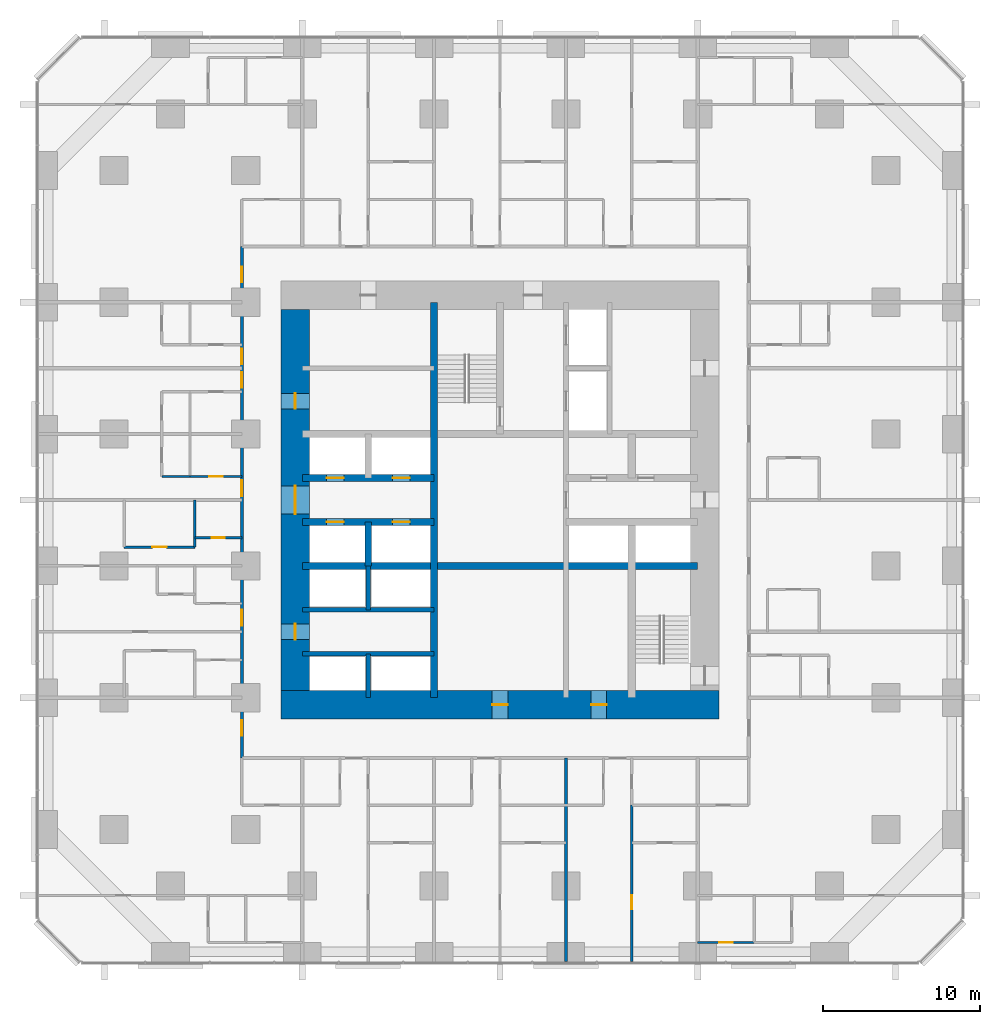
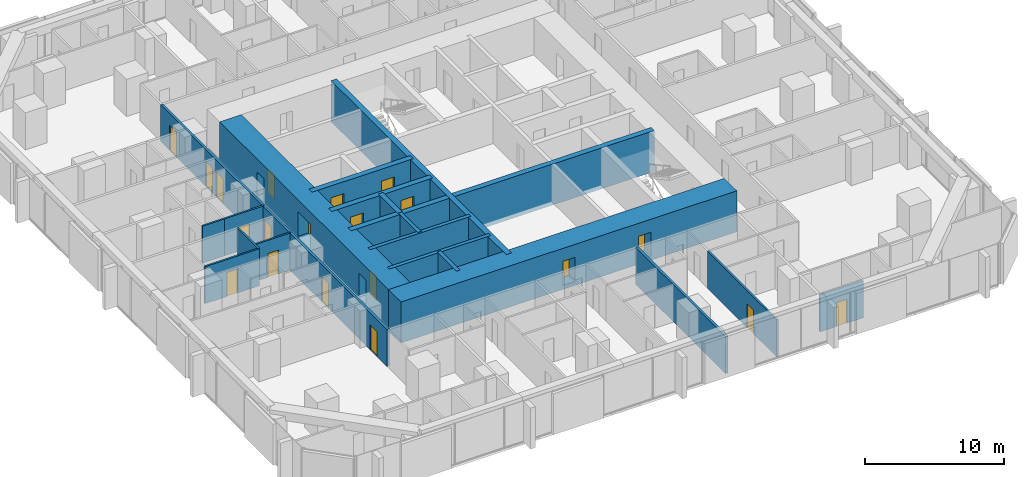
# One storey, part 12 of 17: 20 doors, 20 walls, 20 openings.
"""IFC4 building model written with IfcOpenShell, lengths in metres."""

from ifc_helpers import new_model, si_unit, direction, frame, frame_2d, origin, place, context, subcontext, project, spatial, rectangle, extrude, material, layer, layer_set, type_object, element, fill, save


model = new_model("IFC4")

# Units and contexts
model_context = context("Model", 3, precision=1e-05, world=origin(), true_north=direction((0.0, 1.0)))
body_context = subcontext(model_context, "Body", "Model", "MODEL_VIEW")
ifc_project = project(units=[si_unit("LENGTHUNIT", "METRE"), si_unit("AREAUNIT", "SQUARE_METRE"), si_unit("VOLUMEUNIT", "CUBIC_METRE"), si_unit("PLANEANGLEUNIT", "RADIAN"), si_unit("MASSUNIT", "GRAM", prefix="KILO")], contexts=[model_context])

# Site, building, storey
site_placement = place(None, origin())
site = spatial("IfcSite", under=ifc_project, at=site_placement, CompositionType="ELEMENT")
building_placement = place(site_placement, origin())
building = spatial("IfcBuilding", under=site, at=building_placement, Name="Dunama Terrace Hotel", CompositionType="ELEMENT")
storey_placement = place(building_placement, frame((0.0, 0.0, 48.60009765625)))
storey = spatial("IfcBuildingStorey", under=building, at=storey_placement, Name="L11", CompositionType="ELEMENT", Elevation=48.60009765625)

# Wall, opening, door
ifc_material_1 = material(Name="Gypsum board partition", Category="masonry")
ifc_layer_1 = layer(ifc_material_1, 0.14990234375)
ifc_layer_set_1 = layer_set([ifc_layer_1], Name="Bathroom partition 150")
wall_type_1 = type_object("IfcWallType", Name="Bathroom partition 150", PredefinedType="PARTITIONING", material=ifc_layer_set_1)
wall_1_placement = place(storey_placement, frame((42.0, 1.199951171875, 0.0), z_axis=(0.0, 0.0, 1.0), x_axis=(1.0, 0.0, 0.0)))
wall_1 = element("IfcWall", 1, at=wall_1_placement, inside=storey, type_object=wall_type_1, Name="Bathroom partition 150 L11", PredefinedType="PARTITIONING", context=body_context, shape_type="SweptSolid", body=[
    extrude(rectangle(XDim=3.60009765625, YDim=0.14990234375, at=frame_2d((1.800048828125, 0.0))), origin(), (0.0, 0.0, 1.0), 3.25),
])
opening_1_placement = place(wall_1_placement, frame((1.375, 0.0, 0.0)))
opening_1 = element("IfcOpeningElement", 2, at=opening_1_placement, cuts=wall_1, Name="Opening L10-11-075", PredefinedType="OPENING", context=body_context, shape_type="SweptSolid", body=[
    extrude(rectangle(XDim=0.85009765625, YDim=2.10009765625, at=frame_2d((0.425048828125, 1.050048828125))), frame((0.0, 0.0849609375, 0.0), z_axis=(0.0, -1.0, 0.0), x_axis=(1.0, 0.0, 0.0)), (0.0, 0.0, 1.0), 0.169921875),
])
ifc_material_2 = material(Name="Timber door with steel frame", Category="steel")
door_type_1 = type_object("IfcDoorType", Name="Bathroom door 850", OperationType="SINGLE_SWING_LEFT", PredefinedType="DOOR", material=ifc_material_2)
door_1_placement = place(opening_1_placement, origin())
door_1 = element("IfcDoor", 3, at=door_1_placement, inside=storey, type_object=door_type_1, Name="Door to en-suite bathroom L10-11-075, type D2", OperationType="SINGLE_SWING_LEFT", OverallHeight=2.10009765625, OverallWidth=0.85009765625, PredefinedType="DOOR", context=body_context, shape_type="SweptSolid", body=[
    extrude(rectangle(XDim=0.85009765625, YDim=2.10009765625, at=frame_2d((0.425048828125, 1.050048828125))), frame((0.0, 0.02490234375, 0.0), z_axis=(0.0, -1.0, 0.0), x_axis=(1.0, 0.0, 0.0)), (0.0, 0.0, 1.0), 0.050048828125),
])
fill(opening_1, door_1)

wall_2_placement = place(storey_placement, frame((9.949951171875, 27.0, 0.0), z_axis=(0.0, 0.0, 1.0), x_axis=(1.0, 0.0, 0.0)))
wall_2 = element("IfcWall", 4, at=wall_2_placement, inside=storey, type_object=wall_type_1, Name="Bathroom partition 150 L11", PredefinedType="PARTITIONING", context=body_context, shape_type="SweptSolid", body=[
    extrude(rectangle(XDim=3.0, YDim=0.14990234375, at=frame_2d((1.5, 0.0))), origin(), (0.0, 0.0, 1.0), 3.25),
])
opening_2_placement = place(wall_2_placement, frame((1.074951171875, 0.0, 0.0)))
opening_2 = element("IfcOpeningElement", 5, at=opening_2_placement, cuts=wall_2, Name="Opening L10-11-053", PredefinedType="OPENING", context=body_context, shape_type="SweptSolid", body=[
    extrude(rectangle(XDim=0.85009765625, YDim=2.10009765625, at=frame_2d((0.425048828125, 1.050048828125))), frame((0.0, 0.0849609375, 0.0), z_axis=(0.0, -1.0, 0.0), x_axis=(1.0, 0.0, 0.0)), (0.0, 0.0, 1.0), 0.169921875),
])
door_2_placement = place(opening_2_placement, origin())
door_2 = element("IfcDoor", 6, at=door_2_placement, inside=storey, type_object=door_type_1, Name="Door to en-suite bathroom L10-11-053, type D2", OperationType="SINGLE_SWING_RIGHT", OverallHeight=2.10009765625, OverallWidth=0.85009765625, PredefinedType="DOOR", context=body_context, shape_type="SweptSolid", body=[
    extrude(rectangle(XDim=0.85009765625, YDim=2.10009765625, at=frame_2d((0.425048828125, 1.050048828125))), frame((0.0, 0.02490234375, 0.0), z_axis=(0.0, -1.0, 0.0), x_axis=(1.0, 0.0, 0.0)), (0.0, 0.0, 1.0), 0.050048828125),
])
fill(opening_2, door_2)

wall_3_placement = place(storey_placement, frame((9.64990234375, 30.89990234375, 0.0), z_axis=(0.0, 0.0, 1.0), x_axis=(1.0, 0.0, 0.0)))
wall_3 = element("IfcWall", 7, at=wall_3_placement, inside=storey, type_object=wall_type_1, Name="Bathroom partition 150 L11", PredefinedType="PARTITIONING", context=body_context, shape_type="SweptSolid", body=[
    extrude(rectangle(XDim=3.300048828125, YDim=0.14990234375, at=frame_2d((1.64990234375, 0.0))), origin(), (0.0, 0.0, 1.0), 3.25),
])
opening_3_placement = place(wall_3_placement, frame((1.22509765625, 0.0, 0.0)))
opening_3 = element("IfcOpeningElement", 8, at=opening_3_placement, cuts=wall_3, Name="Opening L10-11-059", PredefinedType="OPENING", context=body_context, shape_type="SweptSolid", body=[
    extrude(rectangle(XDim=0.85009765625, YDim=2.10009765625, at=frame_2d((0.425048828125, 1.050048828125))), frame((0.0, 0.0849609375, 0.0), z_axis=(0.0, -1.0, 0.0), x_axis=(1.0, 0.0, 0.0)), (0.0, 0.0, 1.0), 0.169921875),
])
door_3_placement = place(opening_3_placement, origin())
door_3 = element("IfcDoor", 9, at=door_3_placement, inside=storey, type_object=door_type_1, Name="Door to en-suite bathroom L10-11-059, type D2", OperationType="SINGLE_SWING_RIGHT", OverallHeight=2.10009765625, OverallWidth=0.85009765625, PredefinedType="DOOR", context=body_context, shape_type="SweptSolid", body=[
    extrude(rectangle(XDim=0.85009765625, YDim=2.10009765625, at=frame_2d((0.425048828125, 1.050048828125))), frame((0.0, 0.02490234375, 0.0), z_axis=(0.0, -1.0, 0.0), x_axis=(1.0, 0.0, 0.0)), (0.0, 0.0, 1.0), 0.050048828125),
])
fill(opening_3, door_3)

# Walls
ifc_material_3 = material(Name="Concrete C50/60", Category="concrete")
ifc_layer_2 = layer(ifc_material_3, 0.300048828125)
ifc_layer_set_2 = layer_set([ifc_layer_2], Name="Core inner wall 300")
wall_type_2 = type_object("IfcWallType", Name="Core inner wall 300", PredefinedType="SHEAR", material=ifc_layer_set_2)
for number, where, z_axis, x_axis, name in (
    (10, (21.0, 16.800048828125, -0.35009765625), (0.0, 0.0, 1.0), (0.0, 1.0, 0.0), "Core inner wall 300 L11"),
    (11, (21.0, 22.39990234375, -0.35009765625), (0.0, 0.0, 1.0), (0.0, 1.0, 0.0), "Core inner wall 300 L11"),
):
    element("IfcWall", number, at=place(storey_placement, frame(where, z_axis=z_axis, x_axis=x_axis)), inside=storey, type_object=wall_type_2, Name=name, PredefinedType="SHEAR", context=body_context, shape_type="SweptSolid", body=[
        extrude(rectangle(XDim=2.800048828125, YDim=0.300048828125, at=frame_2d((1.39990234375, 0.0))), origin(), (0.0, 0.0, 1.0), 3.60009765625),
    ])
for number, where, z_axis, x_axis, name in (
    (12, (16.800048828125, 19.60009765625, -0.35009765625), (0.0, 0.0, 1.0), (1.0, 0.0, 0.0), "Core inner wall 300 L11"),
    (13, (16.800048828125, 22.39990234375, -0.35009765625), (0.0, 0.0, 1.0), (1.0, 0.0, 0.0), "Core inner wall 300 L11"),
):
    element("IfcWall", number, at=place(storey_placement, frame(where, z_axis=z_axis, x_axis=x_axis)), inside=storey, type_object=wall_type_2, Name=name, PredefinedType="SHEAR", context=body_context, shape_type="SweptSolid", body=[
        extrude(rectangle(XDim=8.39990234375, YDim=0.300048828125, at=frame_2d((4.199951171875, 0.0))), origin(), (0.0, 0.0, 1.0), 3.60009765625),
    ])
ifc_material_4 = material(Name="Concrete C50/60", Category="concrete")
ifc_layer_3 = layer(ifc_material_4, 0.39990234375)
ifc_layer_set_3 = layer_set([ifc_layer_3], Name="Core inner wall 400")
wall_type_3 = type_object("IfcWallType", Name="Core inner wall 400", PredefinedType="SHEAR", material=ifc_layer_set_3)
wall_4_placement = place(storey_placement, frame((21.0, 25.199951171875, -0.35009765625), z_axis=(0.0, 0.0, 1.0), x_axis=(0.0, 1.0, 0.0)))
element("IfcWall", 14, at=wall_4_placement, inside=storey, type_object=wall_type_3, Name="Core inner wall 400 L11", PredefinedType="SHEAR", context=body_context, shape_type="SweptSolid", body=[
    extrude(rectangle(XDim=2.800048828125, YDim=0.39990234375, at=frame_2d((1.39990234375, 0.0))), origin(), (0.0, 0.0, 1.0), 3.60009765625),
])
ifc_material_5 = material(Name="Concrete C50/60", Category="concrete")
ifc_layer_4 = layer(ifc_material_5, 0.449951171875)
ifc_layer_set_4 = layer_set([ifc_layer_4], Name="Core inner wall 450")
wall_type_4 = type_object("IfcWallType", Name="Core inner wall 450", PredefinedType="SHEAR", material=ifc_layer_set_4)
for number, where, z_axis, x_axis, name in (
    (15, (25.199951171875, 16.800048828125, -0.35009765625), (0.0, 0.0, 1.0), (0.0, 1.0, 0.0), "Core inner wall 450 L11"),
    (16, (16.800048828125, 25.199951171875, -0.35009765625), (0.0, 0.0, 1.0), (1.0, 0.0, 0.0), "Core inner wall 450 L11"),
):
    element("IfcWall", number, at=place(storey_placement, frame(where, z_axis=z_axis, x_axis=x_axis)), inside=storey, type_object=wall_type_4, Name=name, PredefinedType="SHEAR", context=body_context, shape_type="SweptSolid", body=[
        extrude(rectangle(XDim=25.199951171875, YDim=0.449951171875, at=frame_2d((12.60009765625, 0.0))), origin(), (0.0, 0.0, 1.0), 3.60009765625),
    ])

# Wall, openings, doors
wall_5_placement = place(storey_placement, frame((16.800048828125, 28.0, -0.35009765625), z_axis=(0.0, 0.0, 1.0), x_axis=(1.0, 0.0, 0.0)))
wall_5 = element("IfcWall", 17, at=wall_5_placement, inside=storey, type_object=wall_type_4, Name="Core inner wall 450 L11", PredefinedType="SHEAR", context=body_context, shape_type="SweptSolid", body=[
    extrude(rectangle(XDim=8.39990234375, YDim=0.449951171875, at=frame_2d((4.199951171875, 0.0))), origin(), (0.0, 0.0, 1.0), 3.60009765625),
])
opening_4_placement = place(wall_5_placement, frame((1.550048828125, 0.0, 0.35009765625)))
opening_4 = element("IfcOpeningElement", 18, at=opening_4_placement, cuts=wall_5, Name="Opening L10-11-003", PredefinedType="OPENING", context=body_context, shape_type="SweptSolid", body=[
    extrude(rectangle(XDim=1.10009765625, YDim=2.199951171875, at=frame_2d((0.550048828125, 1.10009765625))), frame((0.0, 0.23486328125, 0.0), z_axis=(0.0, -1.0, 0.0), x_axis=(1.0, 0.0, 0.0)), (0.0, 0.0, 1.0), 0.469970703125),
])
opening_5_placement = place(wall_5_placement, frame((5.75, 0.0, 0.35009765625)))
opening_5 = element("IfcOpeningElement", 19, at=opening_5_placement, cuts=wall_5, Name="Opening L10-11-004", PredefinedType="OPENING", context=body_context, shape_type="SweptSolid", body=[
    extrude(rectangle(XDim=1.10009765625, YDim=2.199951171875, at=frame_2d((0.550048828125, 1.10009765625))), frame((0.0, 0.23486328125, 0.0), z_axis=(0.0, -1.0, 0.0), x_axis=(1.0, 0.0, 0.0)), (0.0, 0.0, 1.0), 0.469970703125),
])
ifc_material_6 = material(Name="Stainless steel lift door", Category="steel")
door_type_2 = type_object("IfcDoorType", Name="Lift landing door 1100", OperationType="DOUBLE_DOOR_SLIDING", PredefinedType="DOOR", material=ifc_material_6)
door_4_placement = place(opening_4_placement, origin())
door_4 = element("IfcDoor", 20, at=door_4_placement, inside=storey, type_object=door_type_2, Name="Landing door PA1 L10-11-003, type LD1", OperationType="DOUBLE_DOOR_SLIDING", OverallHeight=2.199951171875, OverallWidth=1.10009765625, PredefinedType="DOOR", context=body_context, shape_type="SweptSolid", body=[
    extrude(rectangle(XDim=1.10009765625, YDim=2.199951171875, at=frame_2d((0.550048828125, 1.10009765625))), frame((0.0, 0.02490234375, 0.0), z_axis=(0.0, -1.0, 0.0), x_axis=(1.0, 0.0, 0.0)), (0.0, 0.0, 1.0), 0.050048828125),
])
fill(opening_4, door_4)
door_5_placement = place(opening_5_placement, origin())
door_5 = element("IfcDoor", 21, at=door_5_placement, inside=storey, type_object=door_type_2, Name="Landing door PA2 L10-11-004, type LD1", OperationType="DOUBLE_DOOR_SLIDING", OverallHeight=2.199951171875, OverallWidth=1.10009765625, PredefinedType="DOOR", context=body_context, shape_type="SweptSolid", body=[
    extrude(rectangle(XDim=1.10009765625, YDim=2.199951171875, at=frame_2d((0.550048828125, 1.10009765625))), frame((0.0, 0.02490234375, 0.0), z_axis=(0.0, -1.0, 0.0), x_axis=(1.0, 0.0, 0.0)), (0.0, 0.0, 1.0), 0.050048828125),
])
fill(opening_5, door_5)

wall_6_placement = place(storey_placement, frame((16.800048828125, 30.800048828125, -0.35009765625), z_axis=(0.0, 0.0, 1.0), x_axis=(1.0, 0.0, 0.0)))
wall_6 = element("IfcWall", 22, at=wall_6_placement, inside=storey, type_object=wall_type_4, Name="Core inner wall 450 L11", PredefinedType="SHEAR", context=body_context, shape_type="SweptSolid", body=[
    extrude(rectangle(XDim=8.39990234375, YDim=0.449951171875, at=frame_2d((4.199951171875, 0.0))), origin(), (0.0, 0.0, 1.0), 3.60009765625),
])
opening_6_placement = place(wall_6_placement, frame((1.550048828125, 0.0, 0.35009765625)))
opening_6 = element("IfcOpeningElement", 23, at=opening_6_placement, cuts=wall_6, Name="Opening L10-11-005", PredefinedType="OPENING", context=body_context, shape_type="SweptSolid", body=[
    extrude(rectangle(XDim=1.10009765625, YDim=2.199951171875, at=frame_2d((0.550048828125, 1.10009765625))), frame((0.0, 0.23486328125, 0.0), z_axis=(0.0, -1.0, 0.0), x_axis=(1.0, 0.0, 0.0)), (0.0, 0.0, 1.0), 0.469970703125),
])
opening_7_placement = place(wall_6_placement, frame((5.75, 0.0, 0.35009765625)))
opening_7 = element("IfcOpeningElement", 24, at=opening_7_placement, cuts=wall_6, Name="Opening L10-11-006", PredefinedType="OPENING", context=body_context, shape_type="SweptSolid", body=[
    extrude(rectangle(XDim=1.10009765625, YDim=2.199951171875, at=frame_2d((0.550048828125, 1.10009765625))), frame((0.0, 0.23486328125, 0.0), z_axis=(0.0, -1.0, 0.0), x_axis=(1.0, 0.0, 0.0)), (0.0, 0.0, 1.0), 0.469970703125),
])
door_6_placement = place(opening_6_placement, origin())
door_6 = element("IfcDoor", 25, at=door_6_placement, inside=storey, type_object=door_type_2, Name="Landing door PA3 L10-11-005, type LD1", OperationType="DOUBLE_DOOR_SLIDING", OverallHeight=2.199951171875, OverallWidth=1.10009765625, PredefinedType="DOOR", context=body_context, shape_type="SweptSolid", body=[
    extrude(rectangle(XDim=1.10009765625, YDim=2.199951171875, at=frame_2d((0.550048828125, 1.10009765625))), frame((0.0, 0.02490234375, 0.0), z_axis=(0.0, -1.0, 0.0), x_axis=(1.0, 0.0, 0.0)), (0.0, 0.0, 1.0), 0.050048828125),
])
fill(opening_6, door_6)
door_7_placement = place(opening_7_placement, origin())
door_7 = element("IfcDoor", 26, at=door_7_placement, inside=storey, type_object=door_type_2, Name="Landing door PA4 L10-11-006, type LD1", OperationType="DOUBLE_DOOR_SLIDING", OverallHeight=2.199951171875, OverallWidth=1.10009765625, PredefinedType="DOOR", context=body_context, shape_type="SweptSolid", body=[
    extrude(rectangle(XDim=1.10009765625, YDim=2.199951171875, at=frame_2d((0.550048828125, 1.10009765625))), frame((0.0, 0.02490234375, 0.0), z_axis=(0.0, -1.0, 0.0), x_axis=(1.0, 0.0, 0.0)), (0.0, 0.0, 1.0), 0.050048828125),
])
fill(opening_7, door_7)

ifc_material_7 = material(Name="Concrete C60/75", Category="concrete")
ifc_layer_5 = layer(ifc_material_7, 1.800048828125)
ifc_layer_set_5 = layer_set([ifc_layer_5], Name="Core wall 1800")
wall_type_5 = type_object("IfcWallType", Name="Core wall 1800", PredefinedType="SHEAR", material=ifc_layer_set_5)
wall_7_placement = place(storey_placement, frame((15.449951171875, 16.35009765625, -0.35009765625), z_axis=(0.0, 0.0, 1.0), x_axis=(1.0, 0.0, 0.0)))
wall_7 = element("IfcWall", 27, at=wall_7_placement, inside=storey, type_object=wall_type_5, Name="Core wall south L11", PredefinedType="SHEAR", context=body_context, shape_type="SweptSolid", body=[
    extrude(rectangle(XDim=27.900146484375, YDim=1.800048828125, at=frame_2d((13.9501953125, 0.0))), origin(), (0.0, 0.0, 1.0), 3.60009765625),
])
opening_8_placement = place(wall_7_placement, frame((13.449951171875, 0.0, 0.35009765625)))
opening_8 = element("IfcOpeningElement", 28, at=opening_8_placement, cuts=wall_7, Name="Opening L10-11-097", PredefinedType="OPENING", context=body_context, shape_type="SweptSolid", body=[
    extrude(rectangle(XDim=1.0, YDim=2.10009765625, at=frame_2d((0.5, 1.050048828125))), frame((0.0, 0.909912109375, 0.0), z_axis=(0.0, -1.0, 0.0), x_axis=(1.0, 0.0, 0.0)), (0.0, 0.0, 1.0), 1.820068359375),
])
opening_9_placement = place(wall_7_placement, frame((19.75, 0.0, 0.35009765625)))
opening_9 = element("IfcOpeningElement", 29, at=opening_9_placement, cuts=wall_7, Name="Opening L10-11-098", PredefinedType="OPENING", context=body_context, shape_type="SweptSolid", body=[
    extrude(rectangle(XDim=1.0, YDim=2.10009765625, at=frame_2d((0.5, 1.050048828125))), frame((0.0, 0.909912109375, 0.0), z_axis=(0.0, -1.0, 0.0), x_axis=(1.0, 0.0, 0.0)), (0.0, 0.0, 1.0), 1.820068359375),
])
ifc_material_8 = material(Name="Timber door with steel frame", Category="steel")
door_type_3 = type_object("IfcDoorType", Name="Service door 1000", OperationType="SINGLE_SWING_LEFT", PredefinedType="DOOR", material=ifc_material_8)
door_8_placement = place(opening_8_placement, origin())
door_8 = element("IfcDoor", 30, at=door_8_placement, inside=storey, type_object=door_type_3, Name="Door to corridor air handling room L10-11-097, type D7", OperationType="SINGLE_SWING_LEFT", OverallHeight=2.10009765625, OverallWidth=1.0, PredefinedType="DOOR", context=body_context, shape_type="SweptSolid", body=[
    extrude(rectangle(XDim=1.0, YDim=2.10009765625, at=frame_2d((0.5, 1.050048828125))), frame((0.0, 0.02490234375, 0.0), z_axis=(0.0, -1.0, 0.0), x_axis=(1.0, 0.0, 0.0)), (0.0, 0.0, 1.0), 0.050048828125),
])
fill(opening_8, door_8)
door_9_placement = place(opening_9_placement, origin())
door_9 = element("IfcDoor", 31, at=door_9_placement, inside=storey, type_object=door_type_3, Name="Door to water riser room L10-11-098, type D7", OperationType="SINGLE_SWING_RIGHT", OverallHeight=2.10009765625, OverallWidth=1.0, PredefinedType="DOOR", context=body_context, shape_type="SweptSolid", body=[
    extrude(rectangle(XDim=1.0, YDim=2.10009765625, at=frame_2d((0.5, 1.050048828125))), frame((0.0, 0.02490234375, 0.0), z_axis=(0.0, -1.0, 0.0), x_axis=(1.0, 0.0, 0.0)), (0.0, 0.0, 1.0), 0.050048828125),
])
fill(opening_9, door_9)

wall_8_placement = place(storey_placement, frame((16.35009765625, 41.550048828125, -0.35009765625), z_axis=(0.0, 0.0, 1.0), x_axis=(0.0, -1.0, 0.0)))
wall_8 = element("IfcWall", 32, at=wall_8_placement, inside=storey, type_object=wall_type_5, Name="Core wall west L11", PredefinedType="SHEAR", context=body_context, shape_type="SweptSolid", body=[
    extrude(rectangle(XDim=24.300048828125, YDim=1.800048828125, at=frame_2d((12.14990234375, 0.0))), origin(), (0.0, 0.0, 1.0), 3.60009765625),
])
opening_10_placement = place(wall_8_placement, frame((11.25, 0.0, 0.35009765625)))
opening_10 = element("IfcOpeningElement", 33, at=opening_10_placement, cuts=wall_8, Name="Opening L10-11-087", PredefinedType="OPENING", context=body_context, shape_type="SweptSolid", body=[
    extrude(rectangle(XDim=1.800048828125, YDim=2.199951171875, at=frame_2d((0.89990234375, 1.10009765625))), frame((0.0, 0.909912109375, 0.0), z_axis=(0.0, -1.0, 0.0), x_axis=(1.0, 0.0, 0.0)), (0.0, 0.0, 1.0), 1.820068359375),
])
opening_11_placement = place(wall_8_placement, frame((20.050048828125, 0.0, 0.35009765625)))
opening_11 = element("IfcOpeningElement", 34, at=opening_11_placement, cuts=wall_8, Name="Opening L10-11-088", PredefinedType="OPENING", context=body_context, shape_type="SweptSolid", body=[
    extrude(rectangle(XDim=1.0, YDim=2.10009765625, at=frame_2d((0.5, 1.050048828125))), frame((0.0, 0.909912109375, 0.0), z_axis=(0.0, -1.0, 0.0), x_axis=(1.0, 0.0, 0.0)), (0.0, 0.0, 1.0), 1.820068359375),
])
opening_12_placement = place(wall_8_placement, frame((5.35009765625, 0.0, 0.35009765625)))
opening_12 = element("IfcOpeningElement", 35, at=opening_12_placement, cuts=wall_8, Name="Opening L10-11-089", PredefinedType="OPENING", context=body_context, shape_type="SweptSolid", body=[
    extrude(rectangle(XDim=1.0, YDim=2.10009765625, at=frame_2d((0.5, 1.050048828125))), frame((0.0, 0.909912109375, 0.0), z_axis=(0.0, -1.0, 0.0), x_axis=(1.0, 0.0, 0.0)), (0.0, 0.0, 1.0), 1.820068359375),
])
ifc_material_9 = material(Name="Timber door with steel frame", Category="steel")
door_type_4 = type_object("IfcDoorType", Name="Lift lobby double door 1800", OperationType="DOUBLE_DOOR_DOUBLE_SWING", PredefinedType="DOOR", material=ifc_material_9)
door_10_placement = place(opening_10_placement, origin())
door_10 = element("IfcDoor", 36, at=door_10_placement, inside=storey, type_object=door_type_4, Name="Door to lift lobby L10-11-087, type D3", OperationType="DOUBLE_DOOR_DOUBLE_SWING", OverallHeight=2.199951171875, OverallWidth=1.800048828125, PredefinedType="DOOR", context=body_context, shape_type="SweptSolid", body=[
    extrude(rectangle(XDim=1.800048828125, YDim=2.199951171875, at=frame_2d((0.89990234375, 1.10009765625))), frame((0.0, 0.02490234375, 0.0), z_axis=(0.0, -1.0, 0.0), x_axis=(1.0, 0.0, 0.0)), (0.0, 0.0, 1.0), 0.050048828125),
])
fill(opening_10, door_10)
door_11_placement = place(opening_11_placement, origin())
door_11 = element("IfcDoor", 37, at=door_11_placement, inside=storey, type_object=door_type_3, Name="Door to service lobby L10-11-088, type D7", OperationType="SINGLE_SWING_RIGHT", OverallHeight=2.10009765625, OverallWidth=1.0, PredefinedType="DOOR", context=body_context, shape_type="SweptSolid", body=[
    extrude(rectangle(XDim=1.0, YDim=2.10009765625, at=frame_2d((0.5, 1.050048828125))), frame((0.0, 0.02490234375, 0.0), z_axis=(0.0, -1.0, 0.0), x_axis=(1.0, 0.0, 0.0)), (0.0, 0.0, 1.0), 0.050048828125),
])
fill(opening_11, door_11)
door_12_placement = place(opening_12_placement, origin())
door_12 = element("IfcDoor", 38, at=door_12_placement, inside=storey, type_object=door_type_3, Name="Door to electrical room L10-11-089, type D7", OperationType="SINGLE_SWING_RIGHT", OverallHeight=2.10009765625, OverallWidth=1.0, PredefinedType="DOOR", context=body_context, shape_type="SweptSolid", body=[
    extrude(rectangle(XDim=1.0, YDim=2.10009765625, at=frame_2d((0.5, 1.050048828125))), frame((0.0, 0.02490234375, 0.0), z_axis=(0.0, -1.0, 0.0), x_axis=(1.0, 0.0, 0.0)), (0.0, 0.0, 1.0), 0.050048828125),
])
fill(opening_12, door_12)

ifc_material_10 = material(Name="Concrete blockwork", Category="masonry")
ifc_layer_6 = layer(ifc_material_10, 0.199951171875)
ifc_layer_set_6 = layer_set([ifc_layer_6], Name="Corridor partition 200")
wall_type_6 = type_object("IfcWallType", Name="Corridor partition 200", PredefinedType="PARTITIONING", material=ifc_layer_set_6)
wall_9_placement = place(storey_placement, frame((12.949951171875, 12.949951171875, 0.0), z_axis=(0.0, 0.0, 1.0), x_axis=(0.0, 1.0, 0.0)))
wall_9 = element("IfcWall", 39, at=wall_9_placement, inside=storey, type_object=wall_type_6, Name="Corridor partition 200 L11", PredefinedType="PARTITIONING", context=body_context, shape_type="SweptSolid", body=[
    extrude(rectangle(XDim=32.60009765625, YDim=0.199951171875, at=frame_2d((16.300048828125, 0.0))), origin(), (0.0, 0.0, 1.0), 3.25),
])
opening_13_placement = place(wall_9_placement, frame((8.449951171875, 0.0, 0.0)))
opening_13 = element("IfcOpeningElement", 40, at=opening_13_placement, cuts=wall_9, Name="Opening L10-11-049", PredefinedType="OPENING", context=body_context, shape_type="SweptSolid", body=[
    extrude(rectangle(XDim=1.0, YDim=2.199951171875, at=frame_2d((0.5, 1.10009765625))), frame((0.0, 0.10986328125, 0.0), z_axis=(0.0, -1.0, 0.0), x_axis=(1.0, 0.0, 0.0)), (0.0, 0.0, 1.0), 0.219970703125),
])
opening_14_placement = place(wall_9_placement, frame((16.699951171875, 0.0, 0.0)))
opening_14 = element("IfcOpeningElement", 41, at=opening_14_placement, cuts=wall_9, Name="Opening L10-11-058", PredefinedType="OPENING", context=body_context, shape_type="SweptSolid", body=[
    extrude(rectangle(XDim=1.0, YDim=2.199951171875, at=frame_2d((0.5, 1.10009765625))), frame((0.0, 0.10986328125, 0.0), z_axis=(0.0, -1.0, 0.0), x_axis=(1.0, 0.0, 0.0)), (0.0, 0.0, 1.0), 0.219970703125),
])
opening_15_placement = place(wall_9_placement, frame((23.60009765625, 0.0, 0.0)))
opening_15 = element("IfcOpeningElement", 42, at=opening_15_placement, cuts=wall_9, Name="Opening L10-11-061", PredefinedType="OPENING", context=body_context, shape_type="SweptSolid", body=[
    extrude(rectangle(XDim=1.0, YDim=2.199951171875, at=frame_2d((0.5, 1.10009765625))), frame((0.0, 0.10986328125, 0.0), z_axis=(0.0, -1.0, 0.0), x_axis=(1.0, 0.0, 0.0)), (0.0, 0.0, 1.0), 0.219970703125),
])
opening_16_placement = place(wall_9_placement, frame((25.10009765625, 0.0, 0.0)))
opening_16 = element("IfcOpeningElement", 43, at=opening_16_placement, cuts=wall_9, Name="Opening L10-11-064", PredefinedType="OPENING", context=body_context, shape_type="SweptSolid", body=[
    extrude(rectangle(XDim=1.0, YDim=2.199951171875, at=frame_2d((0.5, 1.10009765625))), frame((0.0, 0.10986328125, 0.0), z_axis=(0.0, -1.0, 0.0), x_axis=(1.0, 0.0, 0.0)), (0.0, 0.0, 1.0), 0.219970703125),
])
opening_17_placement = place(wall_9_placement, frame((1.425048828125, 0.0, 0.0)))
opening_17 = element("IfcOpeningElement", 44, at=opening_17_placement, cuts=wall_9, Name="Opening L10-11-067", PredefinedType="OPENING", context=body_context, shape_type="SweptSolid", body=[
    extrude(rectangle(XDim=1.0, YDim=2.199951171875, at=frame_2d((0.5, 1.10009765625))), frame((0.0, 0.10986328125, 0.0), z_axis=(0.0, -1.0, 0.0), x_axis=(1.0, 0.0, 0.0)), (0.0, 0.0, 1.0), 0.219970703125),
])
opening_18_placement = place(wall_9_placement, frame((30.324951171875, 0.0, 0.0)))
opening_18 = element("IfcOpeningElement", 45, at=opening_18_placement, cuts=wall_9, Name="Opening L10-11-082", PredefinedType="OPENING", context=body_context, shape_type="SweptSolid", body=[
    extrude(rectangle(XDim=1.0, YDim=2.199951171875, at=frame_2d((0.5, 1.10009765625))), frame((0.0, 0.10986328125, 0.0), z_axis=(0.0, -1.0, 0.0), x_axis=(1.0, 0.0, 0.0)), (0.0, 0.0, 1.0), 0.219970703125),
])
ifc_material_11 = material(Name="Timber door with steel frame", Category="steel")
door_type_5 = type_object("IfcDoorType", Name="Guest room door 1000", OperationType="SINGLE_SWING_LEFT", PredefinedType="DOOR", material=ifc_material_11)
door_13_placement = place(opening_13_placement, origin())
door_13 = element("IfcDoor", 46, at=door_13_placement, inside=storey, type_object=door_type_5, Name="Door to two-bedroom residence living room L10-11-049, type D1", OperationType="SINGLE_SWING_LEFT", OverallHeight=2.199951171875, OverallWidth=1.0, PredefinedType="DOOR", context=body_context, shape_type="SweptSolid", body=[
    extrude(rectangle(XDim=1.0, YDim=2.199951171875, at=frame_2d((0.5, 1.10009765625))), frame((0.0, 0.02490234375, 0.0), z_axis=(0.0, -1.0, 0.0), x_axis=(1.0, 0.0, 0.0)), (0.0, 0.0, 1.0), 0.050048828125),
])
fill(opening_13, door_13)
door_14_placement = place(opening_14_placement, origin())
door_14 = element("IfcDoor", 47, at=door_14_placement, inside=storey, type_object=door_type_5, Name="Door to deluxe room L10-11-058, type D1", OperationType="SINGLE_SWING_LEFT", OverallHeight=2.199951171875, OverallWidth=1.0, PredefinedType="DOOR", context=body_context, shape_type="SweptSolid", body=[
    extrude(rectangle(XDim=1.0, YDim=2.199951171875, at=frame_2d((0.5, 1.10009765625))), frame((0.0, 0.02490234375, 0.0), z_axis=(0.0, -1.0, 0.0), x_axis=(1.0, 0.0, 0.0)), (0.0, 0.0, 1.0), 0.050048828125),
])
fill(opening_14, door_14)
door_15_placement = place(opening_15_placement, origin())
door_15 = element("IfcDoor", 48, at=door_15_placement, inside=storey, type_object=door_type_5, Name="Door to deluxe room L10-11-061, type D1", OperationType="SINGLE_SWING_RIGHT", OverallHeight=2.199951171875, OverallWidth=1.0, PredefinedType="DOOR", context=body_context, shape_type="SweptSolid", body=[
    extrude(rectangle(XDim=1.0, YDim=2.199951171875, at=frame_2d((0.5, 1.10009765625))), frame((0.0, 0.02490234375, 0.0), z_axis=(0.0, -1.0, 0.0), x_axis=(1.0, 0.0, 0.0)), (0.0, 0.0, 1.0), 0.050048828125),
])
fill(opening_15, door_15)
door_16_placement = place(opening_16_placement, origin())
door_16 = element("IfcDoor", 49, at=door_16_placement, inside=storey, type_object=door_type_5, Name="Door to deluxe room L10-11-064, type D1", OperationType="SINGLE_SWING_LEFT", OverallHeight=2.199951171875, OverallWidth=1.0, PredefinedType="DOOR", context=body_context, shape_type="SweptSolid", body=[
    extrude(rectangle(XDim=1.0, YDim=2.199951171875, at=frame_2d((0.5, 1.10009765625))), frame((0.0, 0.02490234375, 0.0), z_axis=(0.0, -1.0, 0.0), x_axis=(1.0, 0.0, 0.0)), (0.0, 0.0, 1.0), 0.050048828125),
])
fill(opening_16, door_16)
door_17_placement = place(opening_17_placement, origin())
door_17 = element("IfcDoor", 50, at=door_17_placement, inside=storey, type_object=door_type_5, Name="Door to corner suite living room L10-11-067, type D1", OperationType="SINGLE_SWING_RIGHT", OverallHeight=2.199951171875, OverallWidth=1.0, PredefinedType="DOOR", context=body_context, shape_type="SweptSolid", body=[
    extrude(rectangle(XDim=1.0, YDim=2.199951171875, at=frame_2d((0.5, 1.10009765625))), frame((0.0, 0.02490234375, 0.0), z_axis=(0.0, -1.0, 0.0), x_axis=(1.0, 0.0, 0.0)), (0.0, 0.0, 1.0), 0.050048828125),
])
fill(opening_17, door_17)
door_18_placement = place(opening_18_placement, origin())
door_18 = element("IfcDoor", 51, at=door_18_placement, inside=storey, type_object=door_type_5, Name="Door to corner suite living room L10-11-082, type D1", OperationType="SINGLE_SWING_LEFT", OverallHeight=2.199951171875, OverallWidth=1.0, PredefinedType="DOOR", context=body_context, shape_type="SweptSolid", body=[
    extrude(rectangle(XDim=1.0, YDim=2.199951171875, at=frame_2d((0.5, 1.10009765625))), frame((0.0, 0.02490234375, 0.0), z_axis=(0.0, -1.0, 0.0), x_axis=(1.0, 0.0, 0.0)), (0.0, 0.0, 1.0), 0.050048828125),
])
fill(opening_18, door_18)

# Walls
ifc_material_12 = material(Name="Concrete blockwork", Category="masonry")
ifc_layer_7 = layer(ifc_material_12, 0.199951171875)
ifc_layer_set_7 = layer_set([ifc_layer_7], Name="Party wall 200")
wall_type_7 = type_object("IfcWallType", Name="Party wall 200", PredefinedType="PARTITIONING", material=ifc_layer_set_7)
wall_10_placement = place(storey_placement, frame((33.60009765625, -0.008056640625, 0.0), z_axis=(0.0, 0.0, 1.0), x_axis=(0.0, 1.0, 0.0)))
element("IfcWall", 52, at=wall_10_placement, inside=storey, type_object=wall_type_7, Name="Party wall 200 L11", PredefinedType="PARTITIONING", context=body_context, shape_type="SweptSolid", body=[
    extrude(rectangle(XDim=12.9580078125, YDim=0.199951171875, at=frame_2d((6.47900390625, 0.0))), origin(), (0.0, 0.0, 1.0), 3.25),
])
ifc_material_13 = material(Name="Gypsum board partition", Category="masonry")
ifc_layer_8 = layer(ifc_material_13, 0.14990234375)
ifc_layer_set_8 = layer_set([ifc_layer_8], Name="Room partition 150")
wall_type_8 = type_object("IfcWallType", Name="Room partition 150", PredefinedType="PARTITIONING", material=ifc_layer_set_8)
wall_11_placement = place(storey_placement, frame((9.949951171875, 26.39990234375, 0.0), z_axis=(0.0, 0.0, 1.0), x_axis=(0.0, 1.0, 0.0)))
element("IfcWall", 53, at=wall_11_placement, inside=storey, type_object=wall_type_8, Name="Room partition 150 L11", PredefinedType="PARTITIONING", context=body_context, shape_type="SweptSolid", body=[
    extrude(rectangle(XDim=3.0, YDim=0.14990234375, at=frame_2d((1.5, 0.0))), origin(), (0.0, 0.0, 1.0), 3.25),
])

# Wall, opening, door
wall_12_placement = place(storey_placement, frame((37.800048828125, -0.008056640625, 0.0), z_axis=(0.0, 0.0, 1.0), x_axis=(0.0, 1.0, 0.0)))
wall_12 = element("IfcWall", 54, at=wall_12_placement, inside=storey, type_object=wall_type_8, Name="Room partition 150 L11", PredefinedType="PARTITIONING", context=body_context, shape_type="SweptSolid", body=[
    extrude(rectangle(XDim=9.9580078125, YDim=0.14990234375, at=frame_2d((4.97900390625, 0.0))), origin(), (0.0, 0.0, 1.0), 3.25),
])
opening_19_placement = place(wall_12_placement, frame((3.3330078125, 0.0, 0.0)))
opening_19 = element("IfcOpeningElement", 55, at=opening_19_placement, cuts=wall_12, Name="Opening L10-11-023", PredefinedType="OPENING", context=body_context, shape_type="SweptSolid", body=[
    extrude(rectangle(XDim=0.89990234375, YDim=2.10009765625, at=frame_2d((0.449951171875, 1.050048828125))), frame((0.0, 0.0849609375, 0.0), z_axis=(0.0, -1.0, 0.0), x_axis=(1.0, 0.0, 0.0)), (0.0, 0.0, 1.0), 0.169921875),
])
ifc_material_14 = material(Name="Timber door with steel frame", Category="steel")
door_type_6 = type_object("IfcDoorType", Name="Suite internal door 900", OperationType="SINGLE_SWING_LEFT", PredefinedType="DOOR", material=ifc_material_14)
door_19_placement = place(opening_19_placement, frame((0.89990234375, 0.0, 0.0), z_axis=(0.0, 0.0, 1.0), x_axis=(-1.0, 0.0, 0.0)))
door_19 = element("IfcDoor", 56, at=door_19_placement, inside=storey, type_object=door_type_6, Name="Door to residence bedroom L10-11-023, type D16", OperationType="SINGLE_SWING_LEFT", OverallHeight=2.10009765625, OverallWidth=0.89990234375, PredefinedType="DOOR", context=body_context, shape_type="SweptSolid", body=[
    extrude(rectangle(XDim=0.89990234375, YDim=2.10009765625, at=frame_2d((0.449951171875, 1.050048828125))), frame((0.0, 0.025146484375, 0.0), z_axis=(0.0, -1.0, 0.0), x_axis=(1.0, 0.0, 0.0)), (0.0, 0.0, 1.0), 0.050048828125),
])
fill(opening_19, door_19)

wall_13_placement = place(storey_placement, frame((5.449951171875, 26.39990234375, 0.0), z_axis=(0.0, 0.0, 1.0), x_axis=(1.0, 0.0, 0.0)))
wall_13 = element("IfcWall", 57, at=wall_13_placement, inside=storey, type_object=wall_type_8, Name="Room partition 150 L11", PredefinedType="PARTITIONING", context=body_context, shape_type="SweptSolid", body=[
    extrude(rectangle(XDim=4.5, YDim=0.14990234375, at=frame_2d((2.25, 0.0))), origin(), (0.0, 0.0, 1.0), 3.25),
])
opening_20_placement = place(wall_13_placement, frame((1.800048828125, 0.0, 0.0)))
opening_20 = element("IfcOpeningElement", 58, at=opening_20_placement, cuts=wall_13, Name="Opening L10-11-054", PredefinedType="OPENING", context=body_context, shape_type="SweptSolid", body=[
    extrude(rectangle(XDim=0.89990234375, YDim=2.10009765625, at=frame_2d((0.449951171875, 1.050048828125))), frame((0.0, 0.0849609375, 0.0), z_axis=(0.0, -1.0, 0.0), x_axis=(1.0, 0.0, 0.0)), (0.0, 0.0, 1.0), 0.169921875),
])
door_20_placement = place(opening_20_placement, origin())
door_20 = element("IfcDoor", 59, at=door_20_placement, inside=storey, type_object=door_type_6, Name="Door to walk-in wardrobe L10-11-054, type D16", OperationType="SINGLE_SWING_LEFT", OverallHeight=2.10009765625, OverallWidth=0.89990234375, PredefinedType="DOOR", context=body_context, shape_type="SweptSolid", body=[
    extrude(rectangle(XDim=0.89990234375, YDim=2.10009765625, at=frame_2d((0.449951171875, 1.050048828125))), frame((0.0, 0.02490234375, 0.0), z_axis=(0.0, -1.0, 0.0), x_axis=(1.0, 0.0, 0.0)), (0.0, 0.0, 1.0), 0.050048828125),
])
fill(opening_20, door_20)

# Wall
wall_14_placement = place(storey_placement, frame((7.85009765625, 30.89990234375, 0.0), z_axis=(0.0, 0.0, 1.0), x_axis=(1.0, 0.0, 0.0)))
element("IfcWall", 60, at=wall_14_placement, inside=storey, type_object=wall_type_8, Name="Room partition 150 L11", PredefinedType="PARTITIONING", context=body_context, shape_type="SweptSolid", body=[
    extrude(rectangle(XDim=1.7998046875, YDim=0.14990234375, at=frame_2d((0.89990234375, 0.0))), origin(), (0.0, 0.0, 1.0), 3.25),
])

save(model, "model.ifc")
